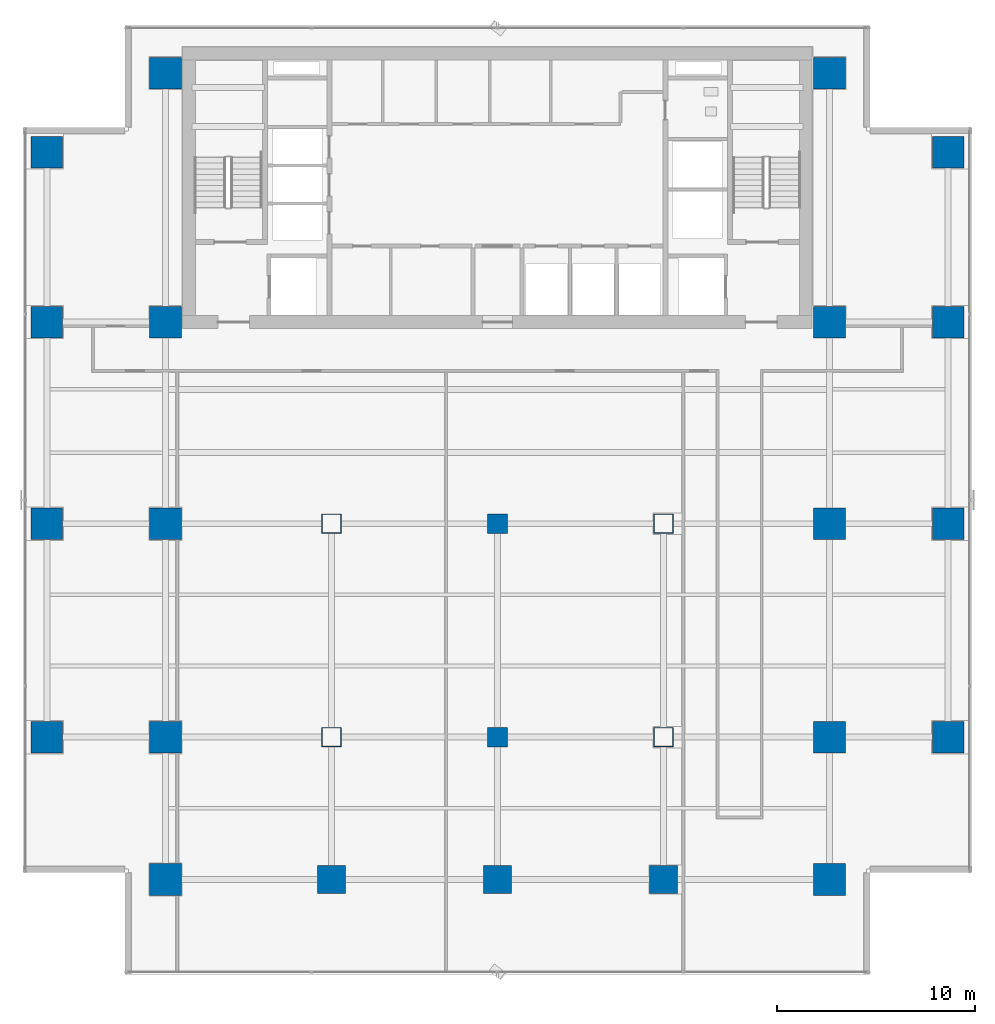
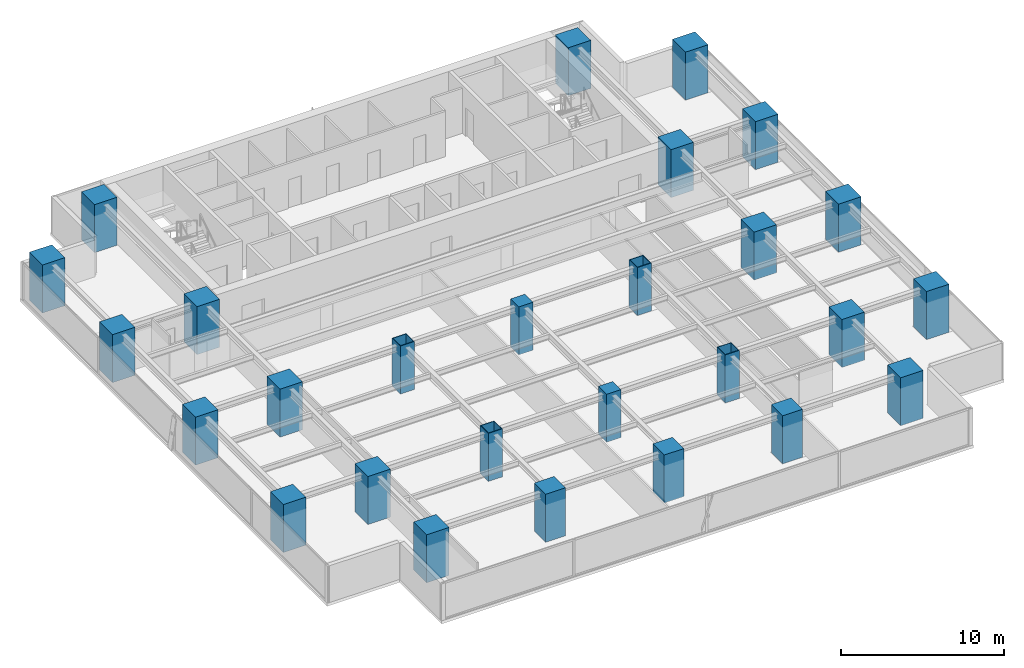
# One storey, part 1 of 27: 27 columns.
"""IFC4 building model written with IfcOpenShell, lengths in metres."""

from ifc_helpers import new_model, si_unit, direction, frame, origin, origin_2d, place, context, subcontext, project, spatial, rectangle, hollow_rectangle, extrude, source, transform, mapped, material, material_profile, profile_set, type_object, element, save


model = new_model("IFC4")

# Units and contexts
model_context = context("Model", 3, precision=1e-05, world=origin(), true_north=direction((0.0, 1.0)))
body_context = subcontext(model_context, "Body", "Model", "MODEL_VIEW")
ifc_project = project(units=[si_unit("LENGTHUNIT", "METRE"), si_unit("AREAUNIT", "SQUARE_METRE"), si_unit("VOLUMEUNIT", "CUBIC_METRE"), si_unit("PLANEANGLEUNIT", "RADIAN"), si_unit("MASSUNIT", "GRAM", prefix="KILO")], contexts=[model_context])

# Site, building, storey
site_placement = place(None, origin())
site = spatial("IfcSite", under=ifc_project, at=site_placement, CompositionType="ELEMENT")
building_placement = place(site_placement, origin())
building = spatial("IfcBuilding", under=site, at=building_placement, Name="Sumidabori Civic Tower", CompositionType="ELEMENT")
storey_placement = place(building_placement, frame((0.0, 0.0, 142.39990234375)))
storey = spatial("IfcBuildingStorey", under=building, at=storey_placement, Name="L36", CompositionType="ELEMENT", Elevation=142.39990234375)

# Columns
ifc_material_1 = material(Name="Concrete C60/75", Category="concrete")
ifc_material_profile_1 = material_profile(ifc_material_1, rectangle(XDim=1.60009765625, YDim=1.60009765625, at=origin_2d()), Name="RC 1600x1600")
ifc_profile_set_1 = profile_set([ifc_material_profile_1], Name="Concrete C60/75")
column_type_1 = type_object("IfcColumnType", Name="CL-MEGA-1600", PredefinedType="COLUMN", material=ifc_profile_set_1)
shared_shape_1 = source(origin(), body_context, "Body", "SweptSolid", [
    extrude(rectangle(XDim=1.60009765625, YDim=1.60009765625, at=origin_2d()), origin(), (0.0, 0.0, 1.0), 3.60009765625),
])
for number, where, z_axis, x_axis, name in (
    (1, (-16.800048828125, -18.0, 0.0), (0.0, 0.0, 1.0), (1.0, 0.0, 0.0), "Column MC-W16-Y18S L36"),
    (2, (-16.800048828125, -10.800048828125, 0.0), (0.0, 0.0, 1.0), (1.0, 0.0, 0.0), "Column MC-W16-Y11S L36"),
    (3, (-16.800048828125, 0.0, 0.0), (0.0, 0.0, 1.0), (1.0, 0.0, 0.0), "Column MC-W16-Y00 L36"),
    (4, (-16.800048828125, 10.199951171875, 0.0), (0.0, 0.0, 1.0), (1.0, 0.0, 0.0), "Column MC-W16-Y10N L36"),
    (5, (-16.800048828125, 22.800048828125, 0.0), (0.0, 0.0, 1.0), (1.0, 0.0, 0.0), "Column MC-W16-Y23N L36"),
    (6, (16.800048828125, -18.0, 0.0), (0.0, 0.0, 1.0), (1.0, 0.0, 0.0), "Column MC-E16-Y18S L36"),
    (7, (16.800048828125, -10.800048828125, 0.0), (0.0, 0.0, 1.0), (1.0, 0.0, 0.0), "Column MC-E16-Y11S L36"),
    (8, (16.800048828125, 0.0, 0.0), (0.0, 0.0, 1.0), (1.0, 0.0, 0.0), "Column MC-E16-Y00 L36"),
    (9, (16.800048828125, 10.199951171875, 0.0), (0.0, 0.0, 1.0), (1.0, 0.0, 0.0), "Column MC-E16-Y10N L36"),
    (10, (16.800048828125, 22.800048828125, 0.0), (0.0, 0.0, 1.0), (1.0, 0.0, 0.0), "Column MC-E16-Y23N L36"),
    (11, (-22.800048828125, -10.800048828125, 0.0), (0.0, 0.0, 1.0), (1.0, 0.0, 0.0), "Column MC-W23-Y11S L36"),
    (12, (-22.800048828125, 0.0, 0.0), (0.0, 0.0, 1.0), (1.0, 0.0, 0.0), "Column MC-W23-Y00 L36"),
    (13, (-22.800048828125, 10.199951171875, 0.0), (0.0, 0.0, 1.0), (1.0, 0.0, 0.0), "Column MC-W23-Y10N L36"),
    (14, (-22.800048828125, 18.800048828125, 0.0), (0.0, 0.0, 1.0), (1.0, 0.0, 0.0), "Column MC-W23-Y19N L36"),
    (15, (22.800048828125, -10.800048828125, 0.0), (0.0, 0.0, 1.0), (1.0, 0.0, 0.0), "Column MC-E23-Y11S L36"),
    (16, (22.800048828125, 0.0, 0.0), (0.0, 0.0, 1.0), (1.0, 0.0, 0.0), "Column MC-E23-Y00 L36"),
    (17, (22.800048828125, 10.199951171875, 0.0), (0.0, 0.0, 1.0), (1.0, 0.0, 0.0), "Column MC-E23-Y10N L36"),
    (18, (22.800048828125, 18.800048828125, 0.0), (0.0, 0.0, 1.0), (1.0, 0.0, 0.0), "Column MC-E23-Y19N L36"),
):
    element("IfcColumn", number, at=place(storey_placement, frame(where, z_axis=z_axis, x_axis=x_axis)), inside=storey, type_object=column_type_1, Name=name, PredefinedType="COLUMN", context=body_context, shape_type="MappedRepresentation", body=[
        mapped(shared_shape_1, transform((0.0, 0.0, 0.0), x_axis=(1.0, 0.0, 0.0), y_axis=(0.0, 1.0, 0.0), z_axis=(0.0, 0.0, 1.0), scale=1.0)),
    ])
ifc_material_2 = material(Name="Steel SM570", Category="steel")
ifc_material_profile_2 = material_profile(ifc_material_2, hollow_rectangle(XDim=1.0, YDim=1.0, WallThickness=0.044921875, at=origin_2d()), Name="SHS 1000x1000x45")
ifc_profile_set_2 = profile_set([ifc_material_profile_2], Name="Steel SM570")
column_type_2 = type_object("IfcColumnType", Name="CL-PORTAL-SHS1000", PredefinedType="COLUMN", material=ifc_profile_set_2)
shared_shape_2 = source(origin(), body_context, "Body", "SweptSolid", [
    extrude(hollow_rectangle(XDim=1.0, YDim=1.0, WallThickness=0.044921875, at=origin_2d()), origin(), (0.0, 0.0, 1.0), 3.60009765625),
])
for number, where, z_axis, x_axis, name in (
    (19, (-8.39990234375, 0.0, 0.0), (0.0, 0.0, 1.0), (1.0, 0.0, 0.0), "Column MC-W08-Y00 L36"),
    (20, (-8.39990234375, -10.800048828125, 0.0), (0.0, 0.0, 1.0), (1.0, 0.0, 0.0), "Column MC-W08-Y11S L36"),
    (21, (8.39990234375, 0.0, 0.0), (0.0, 0.0, 1.0), (1.0, 0.0, 0.0), "Column MC-E08-Y00 L36"),
    (22, (8.39990234375, -10.800048828125, 0.0), (0.0, 0.0, 1.0), (1.0, 0.0, 0.0), "Column MC-E08-Y11S L36"),
):
    element("IfcColumn", number, at=place(storey_placement, frame(where, z_axis=z_axis, x_axis=x_axis)), inside=storey, type_object=column_type_2, Name=name, PredefinedType="COLUMN", context=body_context, shape_type="MappedRepresentation", body=[
        mapped(shared_shape_2, transform((0.0, 0.0, 0.0), x_axis=(1.0, 0.0, 0.0), y_axis=(0.0, 1.0, 0.0), z_axis=(0.0, 0.0, 1.0), scale=1.0)),
    ])
ifc_material_profile_3 = material_profile(ifc_material_1, rectangle(XDim=1.39990234375, YDim=1.39990234375, at=origin_2d()), Name="RC 1400x1400")
ifc_profile_set_3 = profile_set([ifc_material_profile_3], Name="Concrete C60/75")
column_type_3 = type_object("IfcColumnType", Name="CL-MEGA-1400", PredefinedType="COLUMN", material=ifc_profile_set_3)
shared_shape_3 = source(origin(), body_context, "Body", "SweptSolid", [
    extrude(rectangle(XDim=1.39990234375, YDim=1.39990234375, at=origin_2d()), origin(), (0.0, 0.0, 1.0), 3.60009765625),
])
for number, where, z_axis, x_axis, name in (
    (23, (-8.39990234375, -18.0, 0.0), (0.0, 0.0, 1.0), (1.0, 0.0, 0.0), "Column MC-W08-Y18S L36"),
    (24, (8.39990234375, -18.0, 0.0), (0.0, 0.0, 1.0), (1.0, 0.0, 0.0), "Column MC-E08-Y18S L36"),
    (25, (0.0, -18.0, 0.0), (0.0, 0.0, 1.0), (1.0, 0.0, 0.0), "Column MC-C00-Y18S L36"),
):
    element("IfcColumn", number, at=place(storey_placement, frame(where, z_axis=z_axis, x_axis=x_axis)), inside=storey, type_object=column_type_3, Name=name, PredefinedType="COLUMN", context=body_context, shape_type="MappedRepresentation", body=[
        mapped(shared_shape_3, transform((0.0, 0.0, 0.0), x_axis=(1.0, 0.0, 0.0), y_axis=(0.0, 1.0, 0.0), z_axis=(0.0, 0.0, 1.0), scale=1.0)),
    ])
ifc_material_3 = material(Name="Concrete C50/60", Category="concrete")
ifc_material_profile_4 = material_profile(ifc_material_3, rectangle(XDim=1.0, YDim=1.0, at=origin_2d()), Name="RC 1000x1000")
ifc_profile_set_4 = profile_set([ifc_material_profile_4], Name="Concrete C50/60")
column_type_4 = type_object("IfcColumnType", Name="CL-INT-1000", PredefinedType="COLUMN", material=ifc_profile_set_4)
shared_shape_4 = source(origin(), body_context, "Body", "SweptSolid", [
    extrude(rectangle(XDim=1.0, YDim=1.0, at=origin_2d()), origin(), (0.0, 0.0, 1.0), 3.60009765625),
])
for number, where, z_axis, x_axis, name in (
    (26, (0.0, -10.800048828125, 0.0), (0.0, 0.0, 1.0), (1.0, 0.0, 0.0), "Column MC-C00-Y11S L36"),
    (27, (0.0, 0.0, 0.0), (0.0, 0.0, 1.0), (1.0, 0.0, 0.0), "Column MC-C00-Y00 L36"),
):
    element("IfcColumn", number, at=place(storey_placement, frame(where, z_axis=z_axis, x_axis=x_axis)), inside=storey, type_object=column_type_4, Name=name, PredefinedType="COLUMN", context=body_context, shape_type="MappedRepresentation", body=[
        mapped(shared_shape_4, transform((0.0, 0.0, 0.0), x_axis=(1.0, 0.0, 0.0), y_axis=(0.0, 1.0, 0.0), z_axis=(0.0, 0.0, 1.0), scale=1.0)),
    ])

save(model, "model.ifc")
